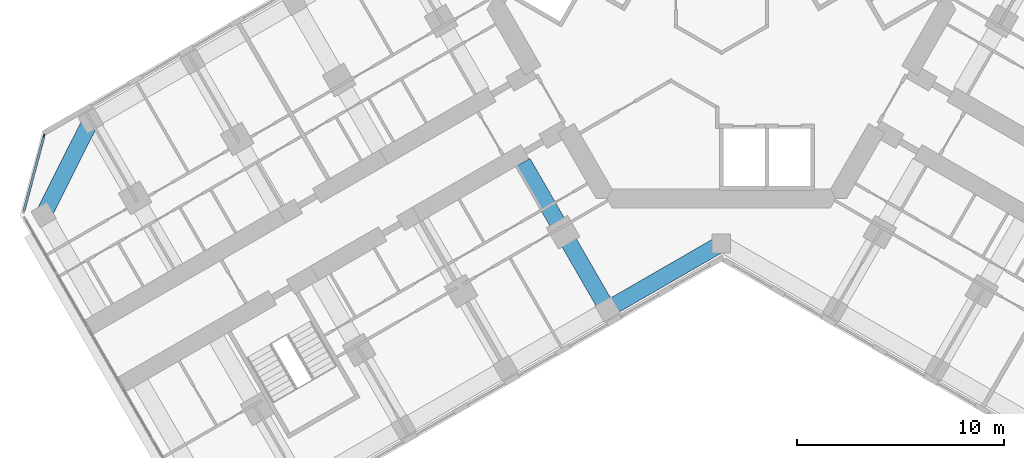
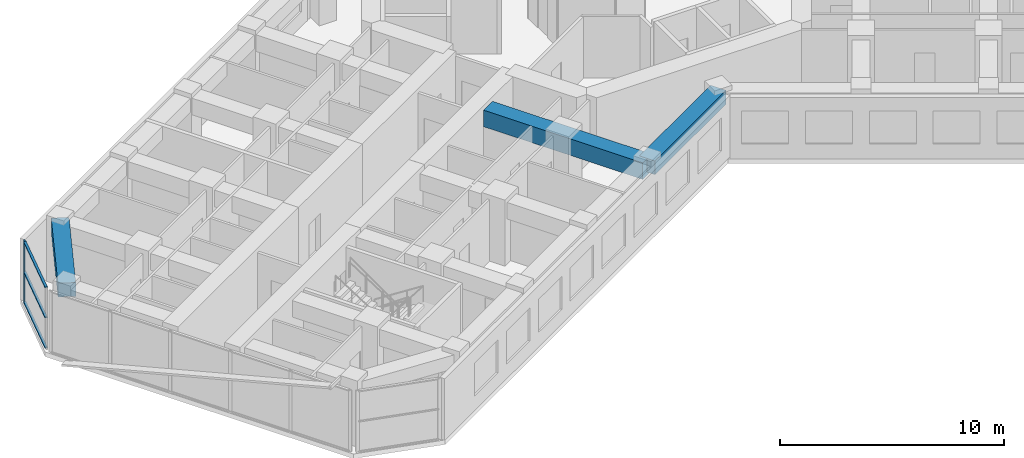
# One storey, part 3 of 20: 4 members, 3 beams, 1 element without a shape of its own.
"""IFC4 building model written with IfcOpenShell, lengths in metres."""

from ifc_helpers import new_model, si_unit, direction, frame, origin, origin_2d, place, context, subcontext, project, spatial, rectangle, extrude, material, material_profile, profile_set, type_object, element, aggregate, save


model = new_model("IFC4")

# Units and contexts
model_context = context("Model", 3, precision=1e-05, world=origin(), true_north=direction((0.0, 1.0)))
body_context = subcontext(model_context, "Body", "Model", "MODEL_VIEW")
ifc_project = project(units=[si_unit("LENGTHUNIT", "METRE"), si_unit("AREAUNIT", "SQUARE_METRE"), si_unit("VOLUMEUNIT", "CUBIC_METRE"), si_unit("PLANEANGLEUNIT", "RADIAN"), si_unit("MASSUNIT", "GRAM", prefix="KILO")], contexts=[model_context])

# Site, building, storey
site_placement = place(None, origin())
site = spatial("IfcSite", under=ifc_project, at=site_placement, CompositionType="ELEMENT")
building_placement = place(site_placement, origin())
building = spatial("IfcBuilding", under=site, at=building_placement, Name="Kosmar Iwan School Tower", CompositionType="ELEMENT")
storey_placement = place(building_placement, frame((0.0, 0.0, 131.0)))
storey = spatial("IfcBuildingStorey", under=building, at=storey_placement, Name="L32", CompositionType="ELEMENT", Elevation=131.0)

# Curtain wall, member
ifc_material_1 = material(Name="Dark glass in black aluminium frame", Category="aluminium")
curtain_wall_type = type_object("IfcCurtainWallType", Name="Chamfer curtain wall dark glass", PredefinedType="USERDEFINED", material=ifc_material_1)
curtain_wall_placement = place(storey_placement, origin())
curtain_wall = element("IfcCurtainWall", 1, at=curtain_wall_placement, inside=storey, type_object=curtain_wall_type, Name="Curtain wall L32-F12", ObjectType="FACETED CURTAIN WALL", PredefinedType="USERDEFINED")
ifc_material_2 = material(Name="Black anodised aluminium", Category="aluminium")
ifc_material_profile_1 = material_profile(ifc_material_2, rectangle(XDim=0.06005859375, YDim=0.159912109375, at=origin_2d()), Name="MULLION 60x160")
ifc_profile_set_1 = profile_set([ifc_material_profile_1], Name="Black anodised aluminium")
member_type_1 = type_object("IfcMemberType", Name="Mullion 60x160", PredefinedType="MULLION", material=ifc_profile_set_1)
member_1_placement = place(storey_placement, frame((-32.78076171875, -6.5732421875, 0.0), z_axis=(0.0, 0.0, 1.0), x_axis=(0.965925875495, -0.258818861462, 0.0)))
member_1 = element("IfcMember", 2, at=member_1_placement, type_object=member_type_1, Name="CW2 mullion 1", PredefinedType="MULLION", context=body_context, shape_type="SweptSolid", body=[
    extrude(rectangle(XDim=0.06005859375, YDim=0.159912109375, at=origin_2d()), origin(), (0.0, 0.0, 1.0), 3.35009765625),
])

# Beams
ifc_material_3 = material(Name="Concrete C50/60", Category="concrete")
ifc_material_profile_2 = material_profile(ifc_material_3, rectangle(XDim=0.800048828125, YDim=0.75, at=origin_2d()), Name="RC 800x750")
ifc_profile_set_2 = profile_set([ifc_material_profile_2], Name="Concrete C50/60")
beam_type_1 = type_object("IfcBeamType", Name="RC edge beam 800x750", PredefinedType="BEAM", material=ifc_profile_set_2)
beam_1_placement = place(storey_placement, frame((0.0, -11.77783203125, 2.97509765625), z_axis=(-0.866014293216, -0.500019243575, 0.0), x_axis=(0.500019243575, -0.866014293216, 0.0)))
element("IfcBeam", 3, at=beam_1_placement, inside=storey, type_object=beam_type_1, Name="Edge beam BL1", PredefinedType="BEAM", context=body_context, shape_type="SweptSolid", body=[
    extrude(rectangle(XDim=0.800048828125, YDim=0.75, at=origin_2d()), origin(), (0.0, 0.0, 1.0), 6.361083984375),
])
ifc_material_4 = material(Name="Concrete C50/60", Category="concrete")
ifc_material_profile_3 = material_profile(ifc_material_4, rectangle(XDim=0.800048828125, YDim=0.75, at=origin_2d()), Name="RC 800x750")
ifc_profile_set_3 = profile_set([ifc_material_profile_3], Name="Concrete C50/60")
beam_type_2 = type_object("IfcBeamType", Name="RC tip beam 800x750", PredefinedType="BEAM", material=ifc_profile_set_3)
beam_2_placement = place(storey_placement, frame((-30.517822265625, -5.841552734375, 2.97509765625), z_axis=(-0.44809604203, -0.893985423325, 0.0), x_axis=(0.893985423325, -0.44809604203, 0.0)))
element("IfcBeam", 4, at=beam_2_placement, inside=storey, type_object=beam_type_2, Name="Tip beam BR", PredefinedType="BEAM", context=body_context, shape_type="SweptSolid", body=[
    extrude(rectangle(XDim=0.800048828125, YDim=0.75, at=origin_2d()), origin(), (0.0, 0.0, 1.0), 5.08935546875),
])
ifc_material_5 = material(Name="Concrete C50/60", Category="concrete")
ifc_material_profile_4 = material_profile(ifc_material_5, rectangle(XDim=0.800048828125, YDim=0.89990234375, at=origin_2d()), Name="RC 800x900")
ifc_profile_set_4 = profile_set([ifc_material_profile_4], Name="Concrete C50/60")
beam_type_3 = type_object("IfcBeamType", Name="RC transverse beam 800x900", PredefinedType="BEAM", material=ifc_profile_set_4)
beam_3_placement = place(storey_placement, frame((-5.5087890625, -14.95849609375, 2.89990234375), z_axis=(-0.500000789788, 0.8660249478, 0.0), x_axis=(-0.8660249478, -0.500000789788, 0.0)))
element("IfcBeam", 5, at=beam_3_placement, inside=storey, type_object=beam_type_3, Name="Transverse beam BL1", PredefinedType="BEAM", context=body_context, shape_type="SweptSolid", body=[
    extrude(rectangle(XDim=0.800048828125, YDim=0.89990234375, at=origin_2d()), origin(), (0.0, 0.0, 1.0), 8.2001953125),
])

# Member
ifc_material_6 = material(Name="Black anodised aluminium", Category="aluminium")
ifc_material_profile_5 = material_profile(ifc_material_6, rectangle(XDim=0.1201171875, YDim=0.06005859375, at=origin_2d()), Name="TRANSOM 60x120")
ifc_profile_set_5 = profile_set([ifc_material_profile_5], Name="Black anodised aluminium")
member_type_2 = type_object("IfcMemberType", Name="Transom 60x120", PredefinedType="USERDEFINED", material=ifc_profile_set_5)
member_2_placement = place(storey_placement, frame((-32.788330078125, -6.602294921875, 0.030029296875), z_axis=(-0.258843273983, -0.965919333854, 0.0), x_axis=(0.965919333854, -0.258843273983, 0.0)))
member_2 = element("IfcMember", 6, at=member_2_placement, type_object=member_type_2, Name="CW2 transom 1.1", ObjectType="TRANSOM", PredefinedType="USERDEFINED", context=body_context, shape_type="SweptSolid", body=[
    extrude(rectangle(XDim=0.1201171875, YDim=0.06005859375, at=origin_2d()), origin(), (0.0, 0.0, 1.0), 3.718994140625),
])

member_3_placement = place(storey_placement, frame((-32.788330078125, -6.602294921875, 1.675048828125), z_axis=(-0.258843273983, -0.965919333854, 0.0), x_axis=(0.965919333854, -0.258843273983, 0.0)))
member_3 = element("IfcMember", 7, at=member_3_placement, type_object=member_type_2, Name="CW2 transom 1.2", ObjectType="TRANSOM", PredefinedType="USERDEFINED", context=body_context, shape_type="SweptSolid", body=[
    extrude(rectangle(XDim=0.1201171875, YDim=0.06005859375, at=origin_2d()), origin(), (0.0, 0.0, 1.0), 3.718994140625),
])

member_4_placement = place(storey_placement, frame((-32.788330078125, -6.602294921875, 3.320068359375), z_axis=(-0.258843273983, -0.965919333854, 0.0), x_axis=(0.965919333854, -0.258843273983, 0.0)))
member_4 = element("IfcMember", 8, at=member_4_placement, type_object=member_type_2, Name="CW2 transom 1.3", ObjectType="TRANSOM", PredefinedType="USERDEFINED", context=body_context, shape_type="SweptSolid", body=[
    extrude(rectangle(XDim=0.1201171875, YDim=0.06005859375, at=origin_2d()), origin(), (0.0, 0.0, 1.0), 3.718994140625),
])

aggregate(curtain_wall, [member_1, member_2, member_3, member_4])

save(model, "model.ifc")
